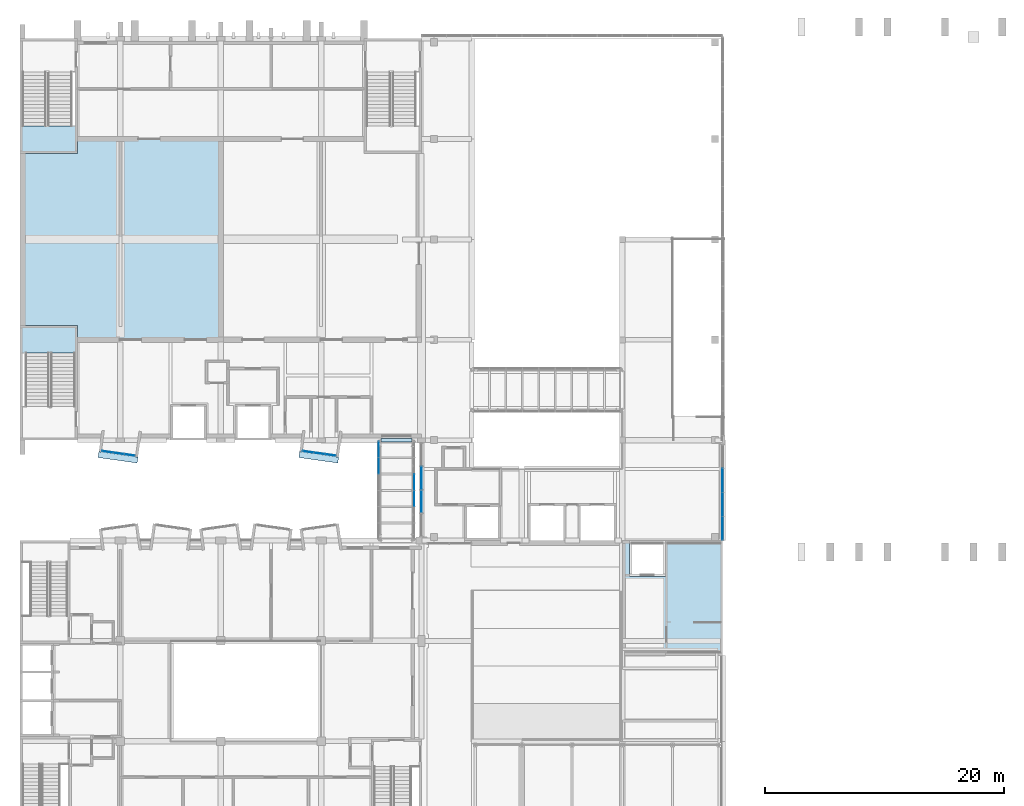
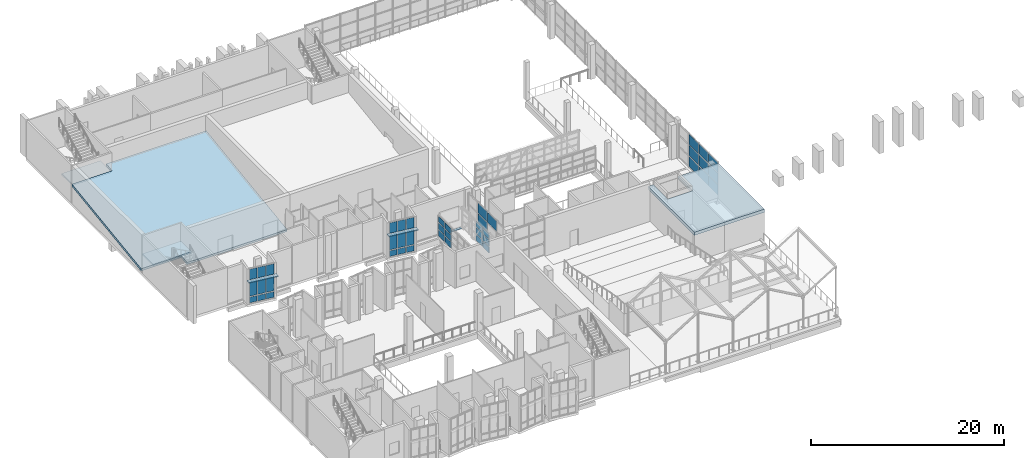
# One storey, part 32 of 67: 46 plates, 4 slabs, 8 elements without a shape of their own.
"""IFC4 building model written with IfcOpenShell, lengths in metres."""

from ifc_helpers import new_model, si_unit, direction, frame, origin, origin_2d, place, context, subcontext, project, spatial, polyline, rectangle, outline, extrude, material, layer, layer_set, type_object, element, aggregate, save


model = new_model("IFC4")

# Units and contexts
model_context = context("Model", 3, precision=1e-05, world=origin(), true_north=direction((0.0, 1.0)))
body_context = subcontext(model_context, "Body", "Model", "MODEL_VIEW")
ifc_project = project(units=[si_unit("LENGTHUNIT", "METRE"), si_unit("AREAUNIT", "SQUARE_METRE"), si_unit("VOLUMEUNIT", "CUBIC_METRE"), si_unit("PLANEANGLEUNIT", "RADIAN"), si_unit("MASSUNIT", "GRAM", prefix="KILO")], contexts=[model_context])

# Site, building, storey
site_placement = place(None, origin())
site = spatial("IfcSite", under=ifc_project, at=site_placement, CompositionType="ELEMENT")
building_placement = place(site_placement, origin())
building = spatial("IfcBuilding", under=site, at=building_placement, Name="Kiln Court Media Centre", CompositionType="ELEMENT")
storey_placement = place(building_placement, frame((0.0, 0.0, 19.800048828125)))
storey = spatial("IfcBuildingStorey", under=building, at=storey_placement, Name="L04", CompositionType="ELEMENT", Elevation=19.800048828125)

# Slabs
ifc_material_1 = material(Name="Concrete C30/37", Category="concrete")
ifc_layer_1 = layer(ifc_material_1, 0.300048828125)
ifc_layer_set_1 = layer_set([ifc_layer_1], Name="Concrete C30/37 raked slab 300")
slab_type_1 = type_object("IfcSlabType", Name="Concrete C30/37 raked slab 300", PredefinedType="FLOOR", material=ifc_layer_set_1)
slab_1_placement = place(storey_placement, frame((4.800048828125, 42.0, 0.300048828125), z_axis=(0.0, -0.138636618501, 0.990343318254), x_axis=(0.0, 0.990343318254, 0.138636618501)))
element("IfcSlab", 1, at=slab_1_placement, inside=storey, type_object=slab_type_1, Name="L04-SL-1015", PredefinedType="FLOOR", context=body_context, shape_type="SweptSolid", body=[
    extrude(outline(polyline([(0.0, 0.0), (1.2116502448114634, 0.0), (1.2116502448114634, 4.800048828125), (15.752212378489764, 4.800048828125), (15.752212378489764, 0.0), (16.963862623301228, 0.0), (16.963862623301228, -12.0), (0.0, -12.0), (0.0, 0.0)])), origin(), (0.0, 0.0, -1.0), 0.300048828125),
])
ifc_material_2 = material(Name="Concrete C30/37", Category="concrete")
ifc_layer_2 = layer(ifc_material_2, 0.39990234375)
ifc_layer_set_2 = layer_set([ifc_layer_2], Name="Concrete C30/37 roof slab 400")
slab_type_2 = type_object("IfcSlabType", Name="Concrete C30/37 roof slab 400", PredefinedType="ROOF", material=ifc_layer_set_2)
slab_2_placement = place(storey_placement, frame((0.0, 0.0, 3.800048828125)))
element("IfcSlab", 2, at=slab_2_placement, inside=storey, type_object=slab_type_2, Name="L04-SL-1014", PredefinedType="ROOF", context=body_context, shape_type="SweptSolid", body=[
    extrude(outline(polyline([(50.39990234375, 15.60009765625), (50.39990234375, 25.199951171875), (51.0, 25.199951171875), (51.0, 22.199951171875), (54.0, 22.199951171875), (54.0, 25.199951171875), (58.800048828125, 25.199951171875), (58.800048828125, 15.60009765625), (50.39990234375, 15.60009765625)])), origin(), (0.0, 0.0, 1.0), 0.39990234375),
])

# Plates
ifc_material_3 = material(Name="Concrete C30/37", Category="concrete")
ifc_layer_3 = layer(ifc_material_3, 0.1201171875)
ifc_layer_set_3 = layer_set([ifc_layer_3], Name="Concrete C30/37 sunshade hood 120")
plate_type_1 = type_object("IfcPlateType", Name="Concrete C30/37 sunshade hood 120", PredefinedType="USERDEFINED", material=ifc_layer_set_3)
plate_1_placement = place(storey_placement, frame((0.0, 0.0, 3.0)))
element("IfcPlate", 3, at=plate_1_placement, inside=storey, type_object=plate_type_1, Name="SUNSHADE V4-S-L04-24", ObjectType="SUNSHADE", PredefinedType="USERDEFINED", context=body_context, shape_type="SweptSolid", body=[
    extrude(outline(polyline([(6.59912109375, 32.641357421875), (9.866943359375, 32.181884765625), (9.79736328125, 31.68701171875), (6.529541015625, 32.146240234375), (6.59912109375, 32.641357421875)])), origin(), (0.0, 0.0, 1.0), 0.119873046875),
])
plate_2_placement = place(storey_placement, frame((0.0, 0.0, 3.0)))
element("IfcPlate", 4, at=plate_2_placement, inside=storey, type_object=plate_type_1, Name="SUNSHADE V4-S-L04-28", ObjectType="SUNSHADE", PredefinedType="USERDEFINED", context=body_context, shape_type="SweptSolid", body=[
    extrude(outline(polyline([(23.39892578125, 32.641357421875), (26.6669921875, 32.181884765625), (26.597412109375, 31.68701171875), (23.32958984375, 32.146240234375), (23.39892578125, 32.641357421875)])), origin(), (0.0, 0.0, 1.0), 0.119873046875),
])

# Stair, slab
ifc_material_4 = material(Name="Concrete C40/50", Category="concrete")
stair_type = type_object("IfcStairType", Name="Concrete C40/50 dog-leg stair 2000 wide, 150 riser", PredefinedType="HALF_TURN_STAIR", material=ifc_material_4)
stair_1_placement = place(storey_placement, origin())
stair_1 = element("IfcStair", 5, at=stair_1_placement, inside=storey, type_object=stair_type, Name="ST-06 L04", PredefinedType="HALF_TURN_STAIR")
ifc_material_5 = material(Name="Concrete C40/50", Category="concrete")
ifc_layer_4 = layer(ifc_material_5, 0.199951171875)
ifc_layer_set_4 = layer_set([ifc_layer_4], Name="Concrete C40/50 stair landing 200")
slab_type_3 = type_object("IfcSlabType", Name="Concrete C40/50 stair landing 200", PredefinedType="LANDING", material=ifc_layer_set_4)
slab_3_placement = place(storey_placement, frame((0.0, 0.0, 2.199951171875)))
slab_3 = element("IfcSlab", 6, at=slab_3_placement, type_object=slab_type_3, Name="L04-ST-5003 landing 5003", PredefinedType="LANDING", context=body_context, shape_type="SweptSolid", body=[
    extrude(outline(polyline([(4.719970703125, 40.89990234375), (4.719970703125, 43.1201171875), (0.080078125, 43.1201171875), (0.080078125, 40.89990234375), (4.719970703125, 40.89990234375)])), origin(), (0.0, 0.0, 1.0), 0.199951171875),
])
aggregate(stair_1, [slab_3])

stair_2_placement = place(storey_placement, origin())
stair_2 = element("IfcStair", 7, at=stair_2_placement, inside=storey, type_object=stair_type, Name="ST-07 L04", PredefinedType="HALF_TURN_STAIR")
slab_4_placement = place(storey_placement, frame((0.0, 0.0, 2.199951171875)))
slab_4 = element("IfcSlab", 8, at=slab_4_placement, type_object=slab_type_3, Name="L04-ST-5004 landing 5004", PredefinedType="LANDING", context=body_context, shape_type="SweptSolid", body=[
    extrude(outline(polyline([(0.080078125, 59.89990234375), (0.080078125, 57.679931640625), (4.719970703125, 57.679931640625), (4.719970703125, 59.89990234375), (0.080078125, 59.89990234375)])), origin(), (0.0, 0.0, 1.0), 0.199951171875),
])
aggregate(stair_2, [slab_4])

# Curtain wall, plates
ifc_material_6 = material(Name="Aluminium 6063-T6", Category="aluminium")
ifc_layer_5 = layer(ifc_material_6, 0.1201171875)
ifc_layer_set_5 = layer_set([ifc_layer_5], Name="Aluminium unitised curtain wall, bridge")
curtain_wall_type_1 = type_object("IfcCurtainWallType", Name="Aluminium unitised curtain wall, bridge", PredefinedType="USERDEFINED", material=ifc_layer_set_5)
curtain_wall_1_placement = place(storey_placement, origin())
curtain_wall_1 = element("IfcCurtainWall", 9, at=curtain_wall_1_placement, inside=storey, type_object=curtain_wall_type_1, Name="BR-2 side glazing", ObjectType="UNITISED CURTAIN WALL", PredefinedType="USERDEFINED")
ifc_material_7 = material(Name="Aluminium insulated spandrel", Category="aluminium")
ifc_layer_6 = layer(ifc_material_7, 0.028076171875)
ifc_layer_set_6 = layer_set([ifc_layer_6], Name="Insulated aluminium spandrel panel 28")
plate_type_2 = type_object("IfcPlateType", Name="Insulated aluminium spandrel panel 28", PredefinedType="CURTAIN_PANEL", material=ifc_layer_set_6)
plate_3_placement = place(storey_placement, frame((30.014892578125, 31.449951171875, 0.099853515625), z_axis=(0.0, 0.0, 1.0), x_axis=(0.0, 1.0, 0.0)))
plate_3 = element("IfcPlate", 10, at=plate_3_placement, type_object=plate_type_2, Name="CW4-65 panel 5.1", PredefinedType="CURTAIN_PANEL", context=body_context, shape_type="SweptSolid", body=[
    extrude(rectangle(XDim=1.316650390625, YDim=0.028076171875, at=origin_2d()), origin(), (0.0, 0.0, 1.0), 0.74169921875),
])
plate_4_placement = place(storey_placement, frame((30.014892578125, 31.449951171875, 1.833251953125), z_axis=(0.0, 0.0, 1.0), x_axis=(0.0, 1.0, 0.0)))
plate_4 = element("IfcPlate", 11, at=plate_4_placement, type_object=plate_type_2, Name="CW4-65 panel 5.3", PredefinedType="CURTAIN_PANEL", context=body_context, shape_type="SweptSolid", body=[
    extrude(rectangle(XDim=1.316650390625, YDim=0.028076171875, at=origin_2d()), origin(), (0.0, 0.0, 1.0), 0.74169921875),
])
plate_5_placement = place(storey_placement, frame((30.014892578125, 32.80419921875, 0.099853515625), z_axis=(0.0, 0.0, 1.0), x_axis=(0.0, 1.0, 0.0)))
plate_5 = element("IfcPlate", 12, at=plate_5_placement, type_object=plate_type_2, Name="CW4-65 panel 6.1", PredefinedType="CURTAIN_PANEL", context=body_context, shape_type="SweptSolid", body=[
    extrude(rectangle(XDim=1.291748046875, YDim=0.028076171875, at=origin_2d()), origin(), (0.0, 0.0, 1.0), 0.74169921875),
])
plate_6_placement = place(storey_placement, frame((30.014892578125, 32.80419921875, 0.941650390625), z_axis=(0.0, 0.0, 1.0), x_axis=(0.0, 1.0, 0.0)))
plate_6 = element("IfcPlate", 13, at=plate_6_placement, type_object=plate_type_2, Name="CW4-65 panel 6.2", PredefinedType="CURTAIN_PANEL", context=body_context, shape_type="SweptSolid", body=[
    extrude(rectangle(XDim=1.291748046875, YDim=0.028076171875, at=origin_2d()), origin(), (0.0, 0.0, 1.0), 0.79150390625),
])

curtain_wall_2_placement = place(storey_placement, origin())
curtain_wall_2 = element("IfcCurtainWall", 14, at=curtain_wall_2_placement, inside=storey, type_object=curtain_wall_type_1, Name="BR-2 side glazing", ObjectType="UNITISED CURTAIN WALL", PredefinedType="USERDEFINED")
plate_7_placement = place(storey_placement, frame((32.985107421875, 28.716552734375, 0.099853515625), z_axis=(0.0, 0.0, 1.0), x_axis=(0.0, 1.0, 0.0)))
plate_7 = element("IfcPlate", 15, at=plate_7_placement, type_object=plate_type_2, Name="CW4-66 panel 3.1", PredefinedType="CURTAIN_PANEL", context=body_context, shape_type="SweptSolid", body=[
    extrude(rectangle(XDim=1.316650390625, YDim=0.028076171875, at=origin_2d()), origin(), (0.0, 0.0, 1.0), 0.74169921875),
])
plate_8_placement = place(storey_placement, frame((32.985107421875, 28.716552734375, 0.941650390625), z_axis=(0.0, 0.0, 1.0), x_axis=(0.0, 1.0, 0.0)))
plate_8 = element("IfcPlate", 16, at=plate_8_placement, type_object=plate_type_2, Name="CW4-66 panel 3.2", PredefinedType="CURTAIN_PANEL", context=body_context, shape_type="SweptSolid", body=[
    extrude(rectangle(XDim=1.316650390625, YDim=0.028076171875, at=origin_2d()), origin(), (0.0, 0.0, 1.0), 0.79150390625),
])
plate_9_placement = place(storey_placement, frame((32.985107421875, 28.716552734375, 1.833251953125), z_axis=(0.0, 0.0, 1.0), x_axis=(0.0, 1.0, 0.0)))
plate_9 = element("IfcPlate", 17, at=plate_9_placement, type_object=plate_type_2, Name="CW4-66 panel 3.3", PredefinedType="CURTAIN_PANEL", context=body_context, shape_type="SweptSolid", body=[
    extrude(rectangle(XDim=1.316650390625, YDim=0.028076171875, at=origin_2d()), origin(), (0.0, 0.0, 1.0), 0.74169921875),
])
plate_10_placement = place(storey_placement, frame((32.985107421875, 30.083251953125, 0.099853515625), z_axis=(0.0, 0.0, 1.0), x_axis=(0.0, 1.0, 0.0)))
plate_10 = element("IfcPlate", 18, at=plate_10_placement, type_object=plate_type_2, Name="CW4-66 panel 4.1", PredefinedType="CURTAIN_PANEL", context=body_context, shape_type="SweptSolid", body=[
    extrude(rectangle(XDim=1.316650390625, YDim=0.028076171875, at=origin_2d()), origin(), (0.0, 0.0, 1.0), 0.74169921875),
])
plate_11_placement = place(storey_placement, frame((32.985107421875, 30.083251953125, 0.941650390625), z_axis=(0.0, 0.0, 1.0), x_axis=(0.0, 1.0, 0.0)))
plate_11 = element("IfcPlate", 19, at=plate_11_placement, type_object=plate_type_2, Name="CW4-66 panel 4.2", PredefinedType="CURTAIN_PANEL", context=body_context, shape_type="SweptSolid", body=[
    extrude(rectangle(XDim=1.316650390625, YDim=0.028076171875, at=origin_2d()), origin(), (0.0, 0.0, 1.0), 0.79150390625),
])
plate_12_placement = place(storey_placement, frame((32.985107421875, 30.083251953125, 1.833251953125), z_axis=(0.0, 0.0, 1.0), x_axis=(0.0, 1.0, 0.0)))
plate_12 = element("IfcPlate", 20, at=plate_12_placement, type_object=plate_type_2, Name="CW4-66 panel 4.3", PredefinedType="CURTAIN_PANEL", context=body_context, shape_type="SweptSolid", body=[
    extrude(rectangle(XDim=1.316650390625, YDim=0.028076171875, at=origin_2d()), origin(), (0.0, 0.0, 1.0), 0.74169921875),
])
aggregate(curtain_wall_2, [plate_7, plate_8, plate_9, plate_10, plate_11, plate_12])

ifc_material_8 = material(Name="Aluminium 6063-T6", Category="aluminium")
ifc_layer_7 = layer(ifc_material_8, 0.1201171875)
ifc_layer_set_7 = layer_set([ifc_layer_7], Name="Aluminium stick curtain wall, gallery")
curtain_wall_type_2 = type_object("IfcCurtainWallType", Name="Aluminium stick curtain wall, gallery", PredefinedType="USERDEFINED", material=ifc_layer_set_7)
curtain_wall_3_placement = place(storey_placement, origin())
curtain_wall_3 = element("IfcCurtainWall", 21, at=curtain_wall_3_placement, inside=storey, type_object=curtain_wall_type_2, Name="Foyer west glazing L04", ObjectType="STICK CURTAIN WALL", PredefinedType="USERDEFINED")
ifc_material_9 = material(Name="Aluminium insulated spandrel", Category="aluminium")
ifc_layer_8 = layer(ifc_material_9, 0.033935546875)
ifc_layer_set_8 = layer_set([ifc_layer_8], Name="Insulated aluminium spandrel panel 34")
plate_type_3 = type_object("IfcPlateType", Name="Insulated aluminium spandrel panel 34", PredefinedType="CURTAIN_PANEL", material=ifc_layer_set_8)
plate_13_placement = place(storey_placement, frame((33.60009765625, 30.4375, 0.14013671875), z_axis=(0.0, 0.0, 1.0), x_axis=(0.0, 1.0, 0.0)))
plate_13 = element("IfcPlate", 22, at=plate_13_placement, type_object=plate_type_3, Name="CW4-64 panel 3.1", PredefinedType="CURTAIN_PANEL", context=body_context, shape_type="SweptSolid", body=[
    extrude(rectangle(XDim=1.9150390625, YDim=0.033935546875, at=origin_2d()), origin(), (0.0, 0.0, 1.0), 1.239990234375),
])
plate_14_placement = place(storey_placement, frame((33.60009765625, 30.4375, 1.52001953125), z_axis=(0.0, 0.0, 1.0), x_axis=(0.0, 1.0, 0.0)))
plate_14 = element("IfcPlate", 23, at=plate_14_placement, type_object=plate_type_3, Name="CW4-64 panel 3.2", PredefinedType="CURTAIN_PANEL", context=body_context, shape_type="SweptSolid", body=[
    extrude(rectangle(XDim=1.9150390625, YDim=0.033935546875, at=origin_2d()), origin(), (0.0, 0.0, 1.0), 1.31005859375),
])

ifc_material_10 = material(Name="Aluminium 6063-T6", Category="aluminium")
ifc_layer_9 = layer(ifc_material_10, 0.1201171875)
ifc_layer_set_9 = layer_set([ifc_layer_9], Name="Aluminium unitised bay curtain wall")
curtain_wall_type_3 = type_object("IfcCurtainWallType", Name="Aluminium unitised bay curtain wall", PredefinedType="USERDEFINED", material=ifc_layer_set_9)
curtain_wall_4_placement = place(storey_placement, origin())
curtain_wall_4 = element("IfcCurtainWall", 24, at=curtain_wall_4_placement, inside=storey, type_object=curtain_wall_type_3, Name="BAY V4-S-L04-24 front", ObjectType="UNITISED CURTAIN WALL", PredefinedType="USERDEFINED")
ifc_material_11 = material(Name="Aluminium insulated spandrel", Category="aluminium")
ifc_layer_10 = layer(ifc_material_11, 0.028076171875)
ifc_layer_set_10 = layer_set([ifc_layer_10], Name="Insulated spandrel panel 28")
plate_type_4 = type_object("IfcPlateType", Name="Insulated spandrel panel 28", PredefinedType="CURTAIN_PANEL", material=ifc_layer_set_10)
plate_15_placement = place(storey_placement, frame((7.3115234375, 32.621826171875, 0.1201171875), z_axis=(0.0, 0.0, 1.0), x_axis=(0.990269562409, -0.139162472554, 0.0)))
plate_15 = element("IfcPlate", 25, at=plate_15_placement, type_object=plate_type_4, Name="CW4-01 panel 1.1", PredefinedType="CURTAIN_PANEL", context=body_context, shape_type="SweptSolid", body=[
    extrude(rectangle(XDim=0.86669921875, YDim=0.028076171875, at=origin_2d()), origin(), (0.0, 0.0, 1.0), 0.719970703125),
])
plate_16_placement = place(storey_placement, frame((8.244140625, 32.490966796875, 0.1201171875), z_axis=(0.0, 0.0, 1.0), x_axis=(0.990269562409, -0.139162472554, 0.0)))
plate_16 = element("IfcPlate", 26, at=plate_16_placement, type_object=plate_type_4, Name="CW4-01 panel 2.1", PredefinedType="CURTAIN_PANEL", context=body_context, shape_type="SweptSolid", body=[
    extrude(rectangle(XDim=0.896728515625, YDim=0.028076171875, at=origin_2d()), origin(), (0.0, 0.0, 1.0), 0.719970703125),
])
plate_17_placement = place(storey_placement, frame((9.1767578125, 32.35986328125, 0.1201171875), z_axis=(0.0, 0.0, 1.0), x_axis=(0.990269562409, -0.139162472554, 0.0)))
plate_17 = element("IfcPlate", 27, at=plate_17_placement, type_object=plate_type_4, Name="CW4-01 panel 3.1", PredefinedType="CURTAIN_PANEL", context=body_context, shape_type="SweptSolid", body=[
    extrude(rectangle(XDim=0.86669921875, YDim=0.028076171875, at=origin_2d()), origin(), (0.0, 0.0, 1.0), 0.719970703125),
])

curtain_wall_5_placement = place(storey_placement, origin())
curtain_wall_5 = element("IfcCurtainWall", 28, at=curtain_wall_5_placement, inside=storey, type_object=curtain_wall_type_3, Name="BAY V4-S-L04-28 front", ObjectType="UNITISED CURTAIN WALL", PredefinedType="USERDEFINED")
plate_18_placement = place(storey_placement, frame((24.111572265625, 32.621826171875, 0.1201171875), z_axis=(0.0, 0.0, 1.0), x_axis=(0.990269562409, -0.139162472554, 0.0)))
plate_18 = element("IfcPlate", 29, at=plate_18_placement, type_object=plate_type_4, Name="CW4-02 panel 1.1", PredefinedType="CURTAIN_PANEL", context=body_context, shape_type="SweptSolid", body=[
    extrude(rectangle(XDim=0.86669921875, YDim=0.028076171875, at=origin_2d()), origin(), (0.0, 0.0, 1.0), 0.719970703125),
])
plate_19_placement = place(storey_placement, frame((25.044189453125, 32.490966796875, 0.1201171875), z_axis=(0.0, 0.0, 1.0), x_axis=(0.990269562409, -0.139162472554, 0.0)))
plate_19 = element("IfcPlate", 30, at=plate_19_placement, type_object=plate_type_4, Name="CW4-02 panel 2.1", PredefinedType="CURTAIN_PANEL", context=body_context, shape_type="SweptSolid", body=[
    extrude(rectangle(XDim=0.896728515625, YDim=0.028076171875, at=origin_2d()), origin(), (0.0, 0.0, 1.0), 0.719970703125),
])
plate_20_placement = place(storey_placement, frame((25.9765625, 32.35986328125, 0.1201171875), z_axis=(0.0, 0.0, 1.0), x_axis=(0.990269562409, -0.139162472554, 0.0)))
plate_20 = element("IfcPlate", 31, at=plate_20_placement, type_object=plate_type_4, Name="CW4-02 panel 3.1", PredefinedType="CURTAIN_PANEL", context=body_context, shape_type="SweptSolid", body=[
    extrude(rectangle(XDim=0.86669921875, YDim=0.028076171875, at=origin_2d()), origin(), (0.0, 0.0, 1.0), 0.719970703125),
])

# Plate
ifc_material_12 = material(Name="Laminated low-E glazing", Category="glass")
ifc_layer_11 = layer(ifc_material_12, 0.028076171875)
ifc_layer_set_11 = layer_set([ifc_layer_11], Name="Laminated low-E glazed panel 28")
plate_type_5 = type_object("IfcPlateType", Name="Laminated low-E glazed panel 28", PredefinedType="CURTAIN_PANEL", material=ifc_layer_set_11)
plate_21_placement = place(storey_placement, frame((30.014892578125, 31.449951171875, 0.941650390625), z_axis=(0.0, 0.0, 1.0), x_axis=(0.0, 1.0, 0.0)))
plate_21 = element("IfcPlate", 32, at=plate_21_placement, type_object=plate_type_5, Name="CW4-65 panel 5.2", PredefinedType="CURTAIN_PANEL", context=body_context, shape_type="SweptSolid", body=[
    extrude(rectangle(XDim=1.316650390625, YDim=0.028076171875, at=origin_2d()), origin(), (0.0, 0.0, 1.0), 0.79150390625),
])

plate_22_placement = place(storey_placement, frame((30.014892578125, 32.80419921875, 1.833251953125), z_axis=(0.0, 0.0, 1.0), x_axis=(0.0, 1.0, 0.0)))
plate_22 = element("IfcPlate", 33, at=plate_22_placement, type_object=plate_type_5, Name="CW4-65 panel 6.3", PredefinedType="CURTAIN_PANEL", context=body_context, shape_type="SweptSolid", body=[
    extrude(rectangle(XDim=1.291748046875, YDim=0.028076171875, at=origin_2d()), origin(), (0.0, 0.0, 1.0), 0.74169921875),
])

aggregate(curtain_wall_1, [plate_3, plate_21, plate_4, plate_5, plate_6, plate_22])

# Curtain wall, plates
ifc_material_13 = material(Name="Aluminium 6063-T6", Category="aluminium")
ifc_layer_12 = layer(ifc_material_13, 0.1201171875)
ifc_layer_set_12 = layer_set([ifc_layer_12], Name="Aluminium stick curtain wall, clerestory")
curtain_wall_type_4 = type_object("IfcCurtainWallType", Name="Aluminium stick curtain wall, clerestory", PredefinedType="USERDEFINED", material=ifc_layer_set_12)
curtain_wall_6_placement = place(storey_placement, origin())
curtain_wall_6 = element("IfcCurtainWall", 34, at=curtain_wall_6_placement, inside=storey, type_object=curtain_wall_type_4, Name="Foyer east clerestory", ObjectType="STICK CURTAIN WALL", PredefinedType="USERDEFINED")
ifc_material_14 = material(Name="Laminated low-E glazing", Category="glass")
ifc_layer_13 = layer(ifc_material_14, 0.031982421875)
ifc_layer_set_13 = layer_set([ifc_layer_13], Name="Laminated low-E glazed panel 32")
plate_type_6 = type_object("IfcPlateType", Name="Laminated low-E glazed panel 32", PredefinedType="CURTAIN_PANEL", material=ifc_layer_set_13)
plate_23_placement = place(storey_placement, frame((58.800048828125, 26.221435546875, 0.119873046875), z_axis=(0.0, 0.0, 1.0), x_axis=(0.0, 1.0, 0.0)))
plate_23 = element("IfcPlate", 35, at=plate_23_placement, type_object=plate_type_6, Name="CW4-62 panel 1.1", PredefinedType="CURTAIN_PANEL", context=body_context, shape_type="SweptSolid", body=[
    extrude(rectangle(XDim=1.92236328125, YDim=0.031982421875, at=origin_2d()), origin(), (0.0, 0.0, 1.0), 1.27001953125),
])
plate_24_placement = place(storey_placement, frame((58.800048828125, 26.221435546875, 1.510009765625), z_axis=(0.0, 0.0, 1.0), x_axis=(0.0, 1.0, 0.0)))
plate_24 = element("IfcPlate", 36, at=plate_24_placement, type_object=plate_type_6, Name="CW4-62 panel 1.2", PredefinedType="CURTAIN_PANEL", context=body_context, shape_type="SweptSolid", body=[
    extrude(rectangle(XDim=1.92236328125, YDim=0.031982421875, at=origin_2d()), origin(), (0.0, 0.0, 1.0), 1.330078125),
])
plate_25_placement = place(storey_placement, frame((58.800048828125, 26.221435546875, 2.9599609375), z_axis=(0.0, 0.0, 1.0), x_axis=(0.0, 1.0, 0.0)))
plate_25 = element("IfcPlate", 37, at=plate_25_placement, type_object=plate_type_6, Name="CW4-62 panel 1.3", PredefinedType="CURTAIN_PANEL", context=body_context, shape_type="SweptSolid", body=[
    extrude(rectangle(XDim=1.92236328125, YDim=0.031982421875, at=origin_2d()), origin(), (0.0, 0.0, 1.0), 1.27001953125),
])
plate_26_placement = place(storey_placement, frame((58.800048828125, 28.21875, 0.119873046875), z_axis=(0.0, 0.0, 1.0), x_axis=(0.0, 1.0, 0.0)))
plate_26 = element("IfcPlate", 38, at=plate_26_placement, type_object=plate_type_6, Name="CW4-62 panel 2.1", PredefinedType="CURTAIN_PANEL", context=body_context, shape_type="SweptSolid", body=[
    extrude(rectangle(XDim=1.952392578125, YDim=0.031982421875, at=origin_2d()), origin(), (0.0, 0.0, 1.0), 1.27001953125),
])
plate_27_placement = place(storey_placement, frame((58.800048828125, 28.21875, 1.510009765625), z_axis=(0.0, 0.0, 1.0), x_axis=(0.0, 1.0, 0.0)))
plate_27 = element("IfcPlate", 39, at=plate_27_placement, type_object=plate_type_6, Name="CW4-62 panel 2.2", PredefinedType="CURTAIN_PANEL", context=body_context, shape_type="SweptSolid", body=[
    extrude(rectangle(XDim=1.952392578125, YDim=0.031982421875, at=origin_2d()), origin(), (0.0, 0.0, 1.0), 1.330078125),
])
plate_28_placement = place(storey_placement, frame((58.800048828125, 28.21875, 2.9599609375), z_axis=(0.0, 0.0, 1.0), x_axis=(0.0, 1.0, 0.0)))
plate_28 = element("IfcPlate", 40, at=plate_28_placement, type_object=plate_type_6, Name="CW4-62 panel 2.3", PredefinedType="CURTAIN_PANEL", context=body_context, shape_type="SweptSolid", body=[
    extrude(rectangle(XDim=1.952392578125, YDim=0.031982421875, at=origin_2d()), origin(), (0.0, 0.0, 1.0), 1.27001953125),
])
plate_29_placement = place(storey_placement, frame((58.800048828125, 30.231201171875, 0.119873046875), z_axis=(0.0, 0.0, 1.0), x_axis=(0.0, 1.0, 0.0)))
plate_29 = element("IfcPlate", 41, at=plate_29_placement, type_object=plate_type_6, Name="CW4-62 panel 3.1", PredefinedType="CURTAIN_PANEL", context=body_context, shape_type="SweptSolid", body=[
    extrude(rectangle(XDim=1.952392578125, YDim=0.031982421875, at=origin_2d()), origin(), (0.0, 0.0, 1.0), 1.27001953125),
])
plate_30_placement = place(storey_placement, frame((58.800048828125, 30.231201171875, 1.510009765625), z_axis=(0.0, 0.0, 1.0), x_axis=(0.0, 1.0, 0.0)))
plate_30 = element("IfcPlate", 42, at=plate_30_placement, type_object=plate_type_6, Name="CW4-62 panel 3.2", PredefinedType="CURTAIN_PANEL", context=body_context, shape_type="SweptSolid", body=[
    extrude(rectangle(XDim=1.952392578125, YDim=0.031982421875, at=origin_2d()), origin(), (0.0, 0.0, 1.0), 1.330078125),
])
plate_31_placement = place(storey_placement, frame((58.800048828125, 30.231201171875, 2.9599609375), z_axis=(0.0, 0.0, 1.0), x_axis=(0.0, 1.0, 0.0)))
plate_31 = element("IfcPlate", 43, at=plate_31_placement, type_object=plate_type_6, Name="CW4-62 panel 3.3", PredefinedType="CURTAIN_PANEL", context=body_context, shape_type="SweptSolid", body=[
    extrude(rectangle(XDim=1.952392578125, YDim=0.031982421875, at=origin_2d()), origin(), (0.0, 0.0, 1.0), 1.27001953125),
])
aggregate(curtain_wall_6, [plate_23, plate_24, plate_25, plate_26, plate_27, plate_28, plate_29, plate_30, plate_31])

# Plate
ifc_material_15 = material(Name="Laminated low-E glazing", Category="glass")
ifc_layer_14 = layer(ifc_material_15, 0.033935546875)
ifc_layer_set_14 = layer_set([ifc_layer_14], Name="Laminated low-E glazed panel 34")
plate_type_7 = type_object("IfcPlateType", Name="Laminated low-E glazed panel 34", PredefinedType="CURTAIN_PANEL", material=ifc_layer_set_14)
plate_32_placement = place(storey_placement, frame((33.60009765625, 28.46240234375, 2.9697265625), z_axis=(0.0, 0.0, 1.0), x_axis=(0.0, 1.0, 0.0)))
plate_32 = element("IfcPlate", 44, at=plate_32_placement, type_object=plate_type_7, Name="CW4-64 panel 2.3", PredefinedType="CURTAIN_PANEL", context=body_context, shape_type="SweptSolid", body=[
    extrude(rectangle(XDim=1.9150390625, YDim=0.033935546875, at=origin_2d()), origin(), (0.0, 0.0, 1.0), 1.239990234375),
])

plate_33_placement = place(storey_placement, frame((33.60009765625, 30.4375, 2.9697265625), z_axis=(0.0, 0.0, 1.0), x_axis=(0.0, 1.0, 0.0)))
plate_33 = element("IfcPlate", 45, at=plate_33_placement, type_object=plate_type_7, Name="CW4-64 panel 3.3", PredefinedType="CURTAIN_PANEL", context=body_context, shape_type="SweptSolid", body=[
    extrude(rectangle(XDim=1.9150390625, YDim=0.033935546875, at=origin_2d()), origin(), (0.0, 0.0, 1.0), 1.239990234375),
])

aggregate(curtain_wall_3, [plate_32, plate_13, plate_14, plate_33])

ifc_material_16 = material(Name="Low-E double glazing", Category="glass")
ifc_layer_15 = layer(ifc_material_16, 0.028076171875)
ifc_layer_set_15 = layer_set([ifc_layer_15], Name="Low-E double glazed panel 28")
plate_type_8 = type_object("IfcPlateType", Name="Low-E double glazed panel 28", PredefinedType="CURTAIN_PANEL", material=ifc_layer_set_15)
plate_34_placement = place(storey_placement, frame((7.3115234375, 32.621826171875, 0.9599609375), z_axis=(0.0, 0.0, 1.0), x_axis=(0.990269562409, -0.139162472554, 0.0)))
plate_34 = element("IfcPlate", 46, at=plate_34_placement, type_object=plate_type_8, Name="CW4-01 panel 1.2", PredefinedType="CURTAIN_PANEL", context=body_context, shape_type="SweptSolid", body=[
    extrude(rectangle(XDim=0.86669921875, YDim=0.028076171875, at=origin_2d()), origin(), (0.0, 0.0, 1.0), 1.97998046875),
])

plate_35_placement = place(storey_placement, frame((7.3115234375, 32.621826171875, 3.06005859375), z_axis=(0.0, 0.0, 1.0), x_axis=(0.990269562409, -0.139162472554, 0.0)))
plate_35 = element("IfcPlate", 47, at=plate_35_placement, type_object=plate_type_8, Name="CW4-01 panel 1.3", PredefinedType="CURTAIN_PANEL", context=body_context, shape_type="SweptSolid", body=[
    extrude(rectangle(XDim=0.86669921875, YDim=0.028076171875, at=origin_2d()), origin(), (0.0, 0.0, 1.0), 1.320068359375),
])

plate_36_placement = place(storey_placement, frame((8.244140625, 32.490966796875, 0.9599609375), z_axis=(0.0, 0.0, 1.0), x_axis=(0.990269562409, -0.139162472554, 0.0)))
plate_36 = element("IfcPlate", 48, at=plate_36_placement, type_object=plate_type_8, Name="CW4-01 panel 2.2", PredefinedType="CURTAIN_PANEL", context=body_context, shape_type="SweptSolid", body=[
    extrude(rectangle(XDim=0.896728515625, YDim=0.028076171875, at=origin_2d()), origin(), (0.0, 0.0, 1.0), 1.97998046875),
])

plate_37_placement = place(storey_placement, frame((8.244140625, 32.490966796875, 3.06005859375), z_axis=(0.0, 0.0, 1.0), x_axis=(0.990269562409, -0.139162472554, 0.0)))
plate_37 = element("IfcPlate", 49, at=plate_37_placement, type_object=plate_type_8, Name="CW4-01 panel 2.3", PredefinedType="CURTAIN_PANEL", context=body_context, shape_type="SweptSolid", body=[
    extrude(rectangle(XDim=0.896728515625, YDim=0.028076171875, at=origin_2d()), origin(), (0.0, 0.0, 1.0), 1.320068359375),
])

plate_38_placement = place(storey_placement, frame((9.1767578125, 32.35986328125, 0.9599609375), z_axis=(0.0, 0.0, 1.0), x_axis=(0.990269562409, -0.139162472554, 0.0)))
plate_38 = element("IfcPlate", 50, at=plate_38_placement, type_object=plate_type_8, Name="CW4-01 panel 3.2", PredefinedType="CURTAIN_PANEL", context=body_context, shape_type="SweptSolid", body=[
    extrude(rectangle(XDim=0.86669921875, YDim=0.028076171875, at=origin_2d()), origin(), (0.0, 0.0, 1.0), 1.97998046875),
])

plate_39_placement = place(storey_placement, frame((9.1767578125, 32.35986328125, 3.06005859375), z_axis=(0.0, 0.0, 1.0), x_axis=(0.990269562409, -0.139162472554, 0.0)))
plate_39 = element("IfcPlate", 51, at=plate_39_placement, type_object=plate_type_8, Name="CW4-01 panel 3.3", PredefinedType="CURTAIN_PANEL", context=body_context, shape_type="SweptSolid", body=[
    extrude(rectangle(XDim=0.86669921875, YDim=0.028076171875, at=origin_2d()), origin(), (0.0, 0.0, 1.0), 1.320068359375),
])

aggregate(curtain_wall_4, [plate_15, plate_34, plate_35, plate_16, plate_36, plate_37, plate_17, plate_38, plate_39])

plate_40_placement = place(storey_placement, frame((24.111572265625, 32.621826171875, 0.9599609375), z_axis=(0.0, 0.0, 1.0), x_axis=(0.990269562409, -0.139162472554, 0.0)))
plate_40 = element("IfcPlate", 52, at=plate_40_placement, type_object=plate_type_8, Name="CW4-02 panel 1.2", PredefinedType="CURTAIN_PANEL", context=body_context, shape_type="SweptSolid", body=[
    extrude(rectangle(XDim=0.86669921875, YDim=0.028076171875, at=origin_2d()), origin(), (0.0, 0.0, 1.0), 1.97998046875),
])

plate_41_placement = place(storey_placement, frame((24.111572265625, 32.621826171875, 3.06005859375), z_axis=(0.0, 0.0, 1.0), x_axis=(0.990269562409, -0.139162472554, 0.0)))
plate_41 = element("IfcPlate", 53, at=plate_41_placement, type_object=plate_type_8, Name="CW4-02 panel 1.3", PredefinedType="CURTAIN_PANEL", context=body_context, shape_type="SweptSolid", body=[
    extrude(rectangle(XDim=0.86669921875, YDim=0.028076171875, at=origin_2d()), origin(), (0.0, 0.0, 1.0), 1.320068359375),
])

plate_42_placement = place(storey_placement, frame((25.044189453125, 32.490966796875, 0.9599609375), z_axis=(0.0, 0.0, 1.0), x_axis=(0.990269562409, -0.139162472554, 0.0)))
plate_42 = element("IfcPlate", 54, at=plate_42_placement, type_object=plate_type_8, Name="CW4-02 panel 2.2", PredefinedType="CURTAIN_PANEL", context=body_context, shape_type="SweptSolid", body=[
    extrude(rectangle(XDim=0.896728515625, YDim=0.028076171875, at=origin_2d()), origin(), (0.0, 0.0, 1.0), 1.97998046875),
])

plate_43_placement = place(storey_placement, frame((25.044189453125, 32.490966796875, 3.06005859375), z_axis=(0.0, 0.0, 1.0), x_axis=(0.990269562409, -0.139162472554, 0.0)))
plate_43 = element("IfcPlate", 55, at=plate_43_placement, type_object=plate_type_8, Name="CW4-02 panel 2.3", PredefinedType="CURTAIN_PANEL", context=body_context, shape_type="SweptSolid", body=[
    extrude(rectangle(XDim=0.896728515625, YDim=0.028076171875, at=origin_2d()), origin(), (0.0, 0.0, 1.0), 1.320068359375),
])

plate_44_placement = place(storey_placement, frame((25.9765625, 32.35986328125, 0.9599609375), z_axis=(0.0, 0.0, 1.0), x_axis=(0.990269562409, -0.139162472554, 0.0)))
plate_44 = element("IfcPlate", 56, at=plate_44_placement, type_object=plate_type_8, Name="CW4-02 panel 3.2", PredefinedType="CURTAIN_PANEL", context=body_context, shape_type="SweptSolid", body=[
    extrude(rectangle(XDim=0.86669921875, YDim=0.028076171875, at=origin_2d()), origin(), (0.0, 0.0, 1.0), 1.97998046875),
])

plate_45_placement = place(storey_placement, frame((25.9765625, 32.35986328125, 3.06005859375), z_axis=(0.0, 0.0, 1.0), x_axis=(0.990269562409, -0.139162472554, 0.0)))
plate_45 = element("IfcPlate", 57, at=plate_45_placement, type_object=plate_type_8, Name="CW4-02 panel 3.3", PredefinedType="CURTAIN_PANEL", context=body_context, shape_type="SweptSolid", body=[
    extrude(rectangle(XDim=0.86669921875, YDim=0.028076171875, at=origin_2d()), origin(), (0.0, 0.0, 1.0), 1.320068359375),
])

aggregate(curtain_wall_5, [plate_18, plate_40, plate_41, plate_19, plate_42, plate_43, plate_20, plate_44, plate_45])

ifc_material_17 = material(Name="Steel ASTM A572 Gr 50", Category="steel")
ifc_layer_16 = layer(ifc_material_17, 0.010009765625)
ifc_layer_set_16 = layer_set([ifc_layer_16], Name="Steel ASTM A572 Gr 50 2600x300x10 movement joint cover plate")
plate_type_9 = type_object("IfcPlateType", Name="Steel ASTM A572 Gr 50 2600x300x10 movement joint cover plate", PredefinedType="USERDEFINED", material=ifc_layer_set_16)
plate_46_placement = place(storey_placement, frame((31.5, 33.60009765625, -0.001953125), z_axis=(0.0, 0.0, 1.0), x_axis=(1.0, 0.0, 0.0)))
element("IfcPlate", 58, at=plate_46_placement, inside=storey, type_object=plate_type_9, Name="bridge BR-2 joint 2 movement joint cover plate", ObjectType="MOVEMENT JOINT COVER PLATE", PredefinedType="USERDEFINED", context=body_context, shape_type="SweptSolid", body=[
    extrude(rectangle(XDim=2.60009765625, YDim=0.300048828125, at=origin_2d()), origin(), (0.0, 0.0, 1.0), 0.010009765625),
])

save(model, "model.ifc")
